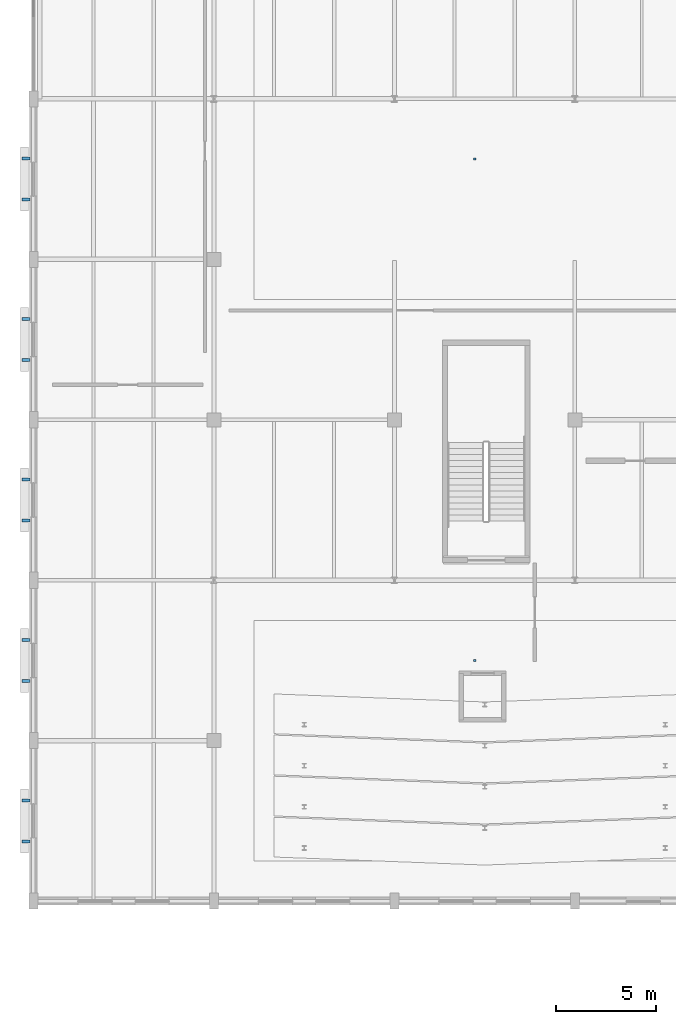
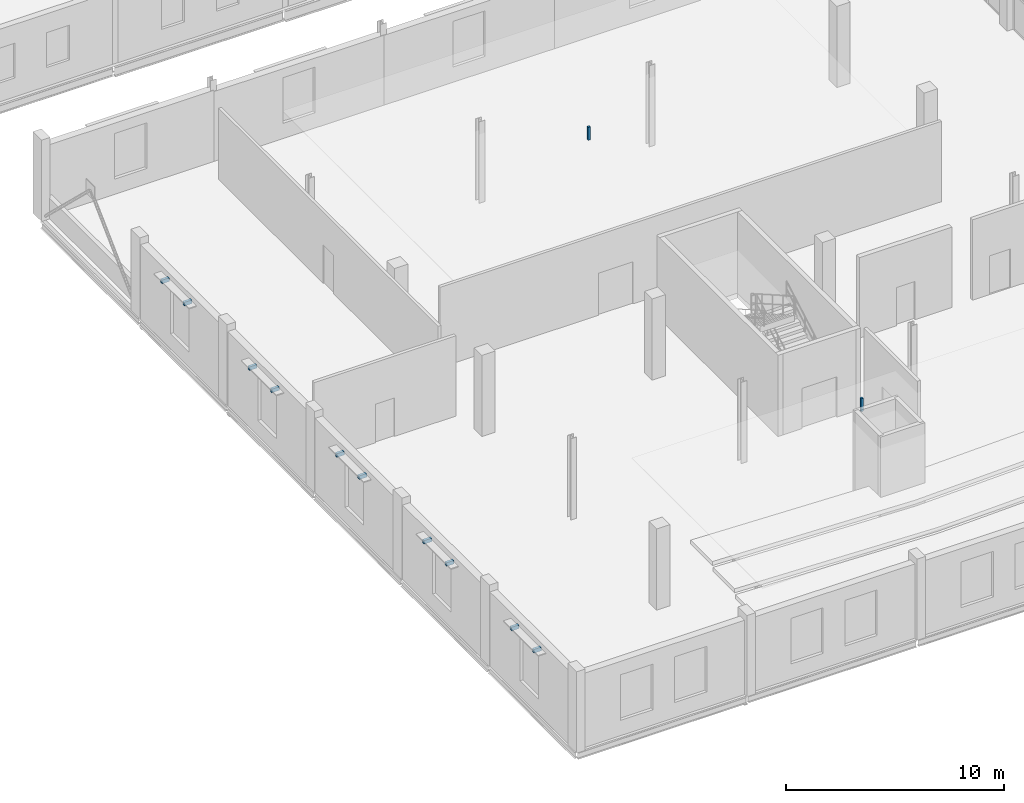
# One storey, part 79 of 93: 12 discrete accessories.
"""IFC4 building model written with IfcOpenShell, lengths in metres."""

from ifc_helpers import new_model, si_unit, direction, frame, origin, origin_2d, place, context, subcontext, project, spatial, rectangle, extrude, material, type_object, element, save


model = new_model("IFC4")

# Units and contexts
model_context = context("Model", 3, precision=1e-05, world=origin(), true_north=direction((0.0, 1.0)))
body_context = subcontext(model_context, "Body", "Model", "MODEL_VIEW")
ifc_project = project(units=[si_unit("LENGTHUNIT", "METRE"), si_unit("AREAUNIT", "SQUARE_METRE"), si_unit("VOLUMEUNIT", "CUBIC_METRE"), si_unit("PLANEANGLEUNIT", "RADIAN"), si_unit("MASSUNIT", "GRAM", prefix="KILO")], contexts=[model_context])

# Site, building, storey
site_placement = place(None, origin())
site = spatial("IfcSite", under=ifc_project, at=site_placement, CompositionType="ELEMENT")
building_placement = place(site_placement, origin())
building = spatial("IfcBuilding", under=site, at=building_placement, Name="Marnock Terrace Opera House", CompositionType="ELEMENT")
storey_placement = place(building_placement, frame((0.0, 0.0, 5.39990234375)))
storey = spatial("IfcBuildingStorey", under=building, at=storey_placement, Name="L01", CompositionType="ELEMENT", Elevation=5.39990234375)

# Discrete accessories
ifc_material = material(Name="Galvanised architectural steel framing", Category="steel")
discrete_accessory_type_1 = type_object("IfcDiscreteAccessoryType", Name="ACC-BRACKET-400", PredefinedType="BRACKET", material=ifc_material)
for number, where, z_axis, x_axis, name in (
    (1, (-0.375, 10.97607421875, 3.70166015625), (0.0, 0.0, 1.0), (0.0, 1.0, 0.0), "Brise-soleil support bracket EW-V3W-L01-1.A"),
    (2, (-0.375, 13.02392578125, 3.70166015625), (0.0, 0.0, 1.0), (0.0, 1.0, 0.0), "Brise-soleil support bracket EW-V3W-L01-1.B"),
    (3, (-0.375, 18.97607421875, 3.70166015625), (0.0, 0.0, 1.0), (0.0, 1.0, 0.0), "Brise-soleil support bracket EW-V3W-L01-2.A"),
    (4, (-0.375, 21.02392578125, 3.70166015625), (0.0, 0.0, 1.0), (0.0, 1.0, 0.0), "Brise-soleil support bracket EW-V3W-L01-2.B"),
    (5, (-0.375, 26.97607421875, 3.70166015625), (0.0, 0.0, 1.0), (0.0, 1.0, 0.0), "Brise-soleil support bracket EW-V3W-L01-3.A"),
    (6, (-0.375, 29.02392578125, 3.70166015625), (0.0, 0.0, 1.0), (0.0, 1.0, 0.0), "Brise-soleil support bracket EW-V3W-L01-3.B"),
    (7, (-0.375, 34.97607421875, 3.70166015625), (0.0, 0.0, 1.0), (0.0, 1.0, 0.0), "Brise-soleil support bracket EW-V3W-L01-4.A"),
    (8, (-0.375, 37.02392578125, 3.70166015625), (0.0, 0.0, 1.0), (0.0, 1.0, 0.0), "Brise-soleil support bracket EW-V3W-L01-4.B"),
    (9, (-0.375, 42.97607421875, 3.70166015625), (0.0, 0.0, 1.0), (0.0, 1.0, 0.0), "Brise-soleil support bracket EW-V3W-L01-5.A"),
    (10, (-0.375, 45.02392578125, 3.70166015625), (0.0, 0.0, 1.0), (0.0, 1.0, 0.0), "Brise-soleil support bracket EW-V3W-L01-5.B"),
):
    element("IfcDiscreteAccessory", number, at=place(storey_placement, frame(where, z_axis=z_axis, x_axis=x_axis)), inside=storey, type_object=discrete_accessory_type_1, Name=name, PredefinedType="BRACKET", context=body_context, shape_type="SweptSolid", body=[
        extrude(rectangle(XDim=0.139892578125, YDim=0.39990234375, at=origin_2d()), origin(), (0.0, 0.0, 1.0), 0.199951171875),
    ])
discrete_accessory_type_2 = type_object("IfcDiscreteAccessoryType", Name="ACC-HANGER-ROD", PredefinedType="BRACKET", material=ifc_material)
for number, where, z_axis, x_axis, name in (
    (11, (22.0, 20.0, 3.8349609375), (0.0, 0.0, 1.0), (1.0, 0.0, 0.0), "CLG-CHAMBER-01 acoustic isolation hanger"),
    (12, (22.0, 45.0, 3.8349609375), (0.0, 0.0, 1.0), (1.0, 0.0, 0.0), "CLG-REHEARS-01 acoustic isolation hanger"),
):
    element("IfcDiscreteAccessory", number, at=place(storey_placement, frame(where, z_axis=z_axis, x_axis=x_axis)), inside=storey, type_object=discrete_accessory_type_2, Name=name, PredefinedType="BRACKET", context=body_context, shape_type="SweptSolid", body=[
        extrude(rectangle(XDim=0.1201171875, YDim=0.1201171875, at=origin_2d()), origin(), (0.0, 0.0, 1.0), 0.72509765625),
    ])

save(model, "model.ifc")
